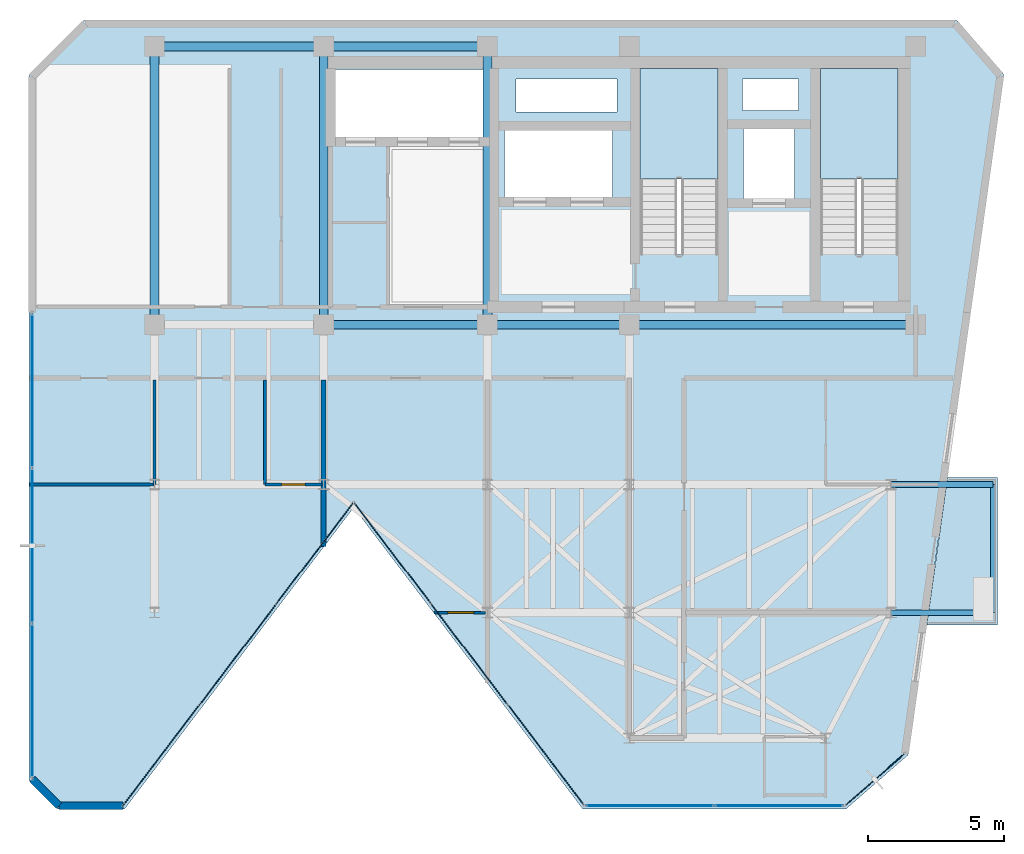
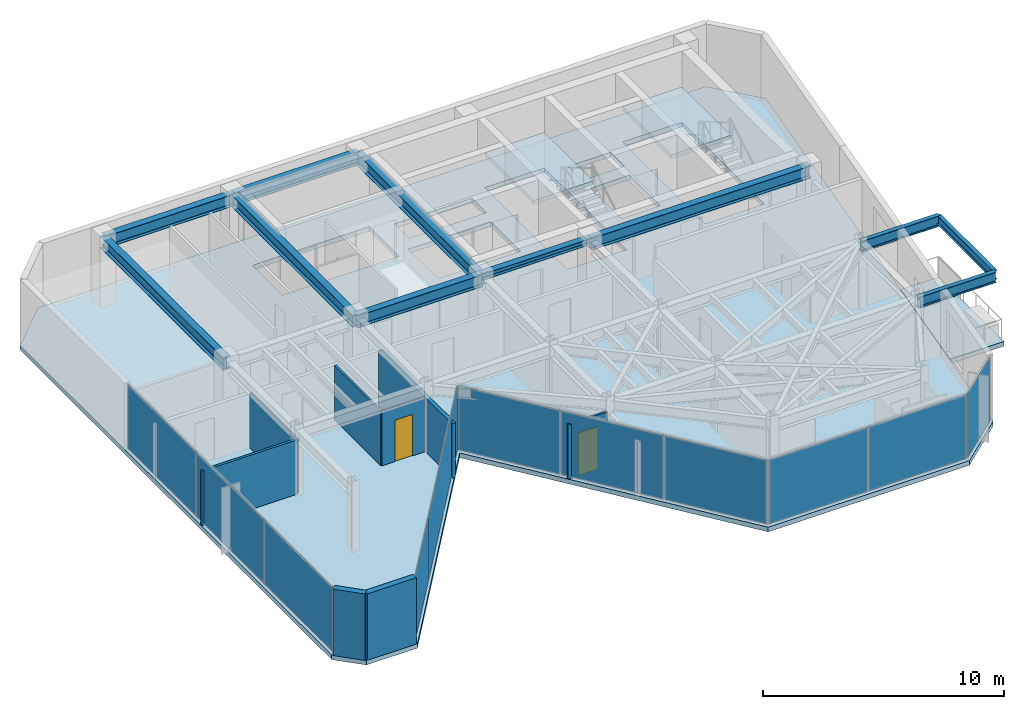
# One storey, part 12 of 16: 12 plates, 11 beams, 8 walls, 4 slabs, 2 doors, 2 openings, 7 elements without a shape of their own.
"""IFC4 building model written with IfcOpenShell, lengths in metres."""

from ifc_helpers import new_model, si_unit, direction, frame, frame_2d, origin, origin_2d, place, context, subcontext, project, spatial, polyline, rectangle, i_section, outline, extrude, material, layer, layer_set, material_profile, profile_set, type_object, element, fill, aggregate, save


model = new_model("IFC4")

# Units and contexts
model_context = context("Model", 3, precision=1e-05, world=origin(), true_north=direction((0.0, 1.0)))
body_context = subcontext(model_context, "Body", "Model", "MODEL_VIEW")
ifc_project = project(units=[si_unit("LENGTHUNIT", "METRE"), si_unit("AREAUNIT", "SQUARE_METRE"), si_unit("VOLUMEUNIT", "CUBIC_METRE"), si_unit("PLANEANGLEUNIT", "RADIAN"), si_unit("MASSUNIT", "GRAM", prefix="KILO")], contexts=[model_context])

# Site, building, storey
site_placement = place(None, origin())
site = spatial("IfcSite", under=ifc_project, at=site_placement, CompositionType="ELEMENT")
building_placement = place(site_placement, origin())
building = spatial("IfcBuilding", under=site, at=building_placement, Name="Kravanh Interchange Tower", CompositionType="ELEMENT")
storey_placement = place(building_placement, frame((0.0, 0.0, 303.89990234375)))
storey = spatial("IfcBuildingStorey", under=building, at=storey_placement, Name="L75", CompositionType="ELEMENT", Elevation=303.89990234375)

# Beams
ifc_material_1 = material(Name="Structural Steel S355", Category="steel")
ifc_material_profile_1 = material_profile(ifc_material_1, i_section(OverallWidth=0.323974609375, OverallDepth=0.611083984375, WebThickness=0.0126953125, FlangeThickness=0.01904296875, FilletRadius=0.02197265625, at=origin_2d()), Name="W24X104")
ifc_profile_set_1 = profile_set([ifc_material_profile_1], Name="Structural Steel S355")
beam_type_1 = type_object("IfcBeamType", Name="Floor Beam W24X104 Structural Steel S355", PredefinedType="BEAM", material=ifc_profile_set_1)
beam_1_placement = place(storey_placement, frame((66.5, 37.35009765625, 3.0595703125), z_axis=(-1.0, 0.0, 0.0), x_axis=(0.0, -1.0, 0.0)))
element("IfcBeam", 1, at=beam_1_placement, inside=storey, type_object=beam_type_1, Name="L75 Primary Floor Girder 32", PredefinedType="BEAM", context=body_context, shape_type="SweptSolid", body=[
    extrude(i_section(OverallWidth=0.323974609375, OverallDepth=0.611083984375, WebThickness=0.0126953125, FlangeThickness=0.01904296875, FilletRadius=0.02197265625, at=origin_2d()), origin(), (0.0, 0.0, 1.0), 10.5),
])
beam_2_placement = place(storey_placement, frame((50.800048828125, 47.550048828125, 3.0595703125), z_axis=(-1.0, 0.0, 0.0), x_axis=(0.0, -1.0, 0.0)))
element("IfcBeam", 2, at=beam_2_placement, inside=storey, type_object=beam_type_1, Name="L75 Primary Floor Girder 34", PredefinedType="BEAM", context=body_context, shape_type="SweptSolid", body=[
    extrude(i_section(OverallWidth=0.323974609375, OverallDepth=0.611083984375, WebThickness=0.0126953125, FlangeThickness=0.01904296875, FilletRadius=0.02197265625, at=origin_2d()), origin(), (0.0, 0.0, 1.0), 6.0),
])
beam_3_placement = place(storey_placement, frame((50.800048828125, 47.550048828125, 3.0595703125), z_axis=(0.0, -1.0, 0.0), x_axis=(1.0, 0.0, 0.0)))
element("IfcBeam", 3, at=beam_3_placement, inside=storey, type_object=beam_type_1, Name="L75 Primary Floor Girder 35", PredefinedType="BEAM", context=body_context, shape_type="SweptSolid", body=[
    extrude(i_section(OverallWidth=0.323974609375, OverallDepth=0.611083984375, WebThickness=0.0126953125, FlangeThickness=0.01904296875, FilletRadius=0.02197265625, at=origin_2d()), origin(), (0.0, 0.0, 1.0), 10.199951171875),
])
beam_4_placement = place(storey_placement, frame((50.800048828125, 37.35009765625, 3.0595703125), z_axis=(-1.0, 0.0, 0.0), x_axis=(0.0, -1.0, 0.0)))
element("IfcBeam", 4, at=beam_4_placement, inside=storey, type_object=beam_type_1, Name="L75 Primary Floor Girder 36", PredefinedType="BEAM", context=body_context, shape_type="SweptSolid", body=[
    extrude(i_section(OverallWidth=0.323974609375, OverallDepth=0.611083984375, WebThickness=0.0126953125, FlangeThickness=0.01904296875, FilletRadius=0.02197265625, at=origin_2d()), origin(), (0.0, 0.0, 1.0), 6.0),
])
beam_5_placement = place(storey_placement, frame((44.800048828125, 37.35009765625, 3.0595703125), z_axis=(0.0, 1.0, 0.0), x_axis=(-1.0, 0.0, 0.0)))
element("IfcBeam", 5, at=beam_5_placement, inside=storey, type_object=beam_type_1, Name="L75 Primary Floor Girder 38", PredefinedType="BEAM", context=body_context, shape_type="SweptSolid", body=[
    extrude(i_section(OverallWidth=0.323974609375, OverallDepth=0.611083984375, WebThickness=0.0126953125, FlangeThickness=0.01904296875, FilletRadius=0.02197265625, at=origin_2d()), origin(), (0.0, 0.0, 1.0), 10.199951171875),
])
beam_6_placement = place(storey_placement, frame((44.800048828125, 47.550048828125, 3.0595703125), z_axis=(-1.0, 0.0, 0.0), x_axis=(0.0, -1.0, 0.0)))
element("IfcBeam", 6, at=beam_6_placement, inside=storey, type_object=beam_type_1, Name="L75 Primary Floor Girder 39", PredefinedType="BEAM", context=body_context, shape_type="SweptSolid", body=[
    extrude(i_section(OverallWidth=0.323974609375, OverallDepth=0.611083984375, WebThickness=0.0126953125, FlangeThickness=0.01904296875, FilletRadius=0.02197265625, at=origin_2d()), origin(), (0.0, 0.0, 1.0), 6.199951171875),
])
beam_7_placement = place(storey_placement, frame((38.60009765625, 37.35009765625, 3.0595703125), z_axis=(0.0, 1.0, 0.0), x_axis=(-1.0, 0.0, 0.0)))
element("IfcBeam", 7, at=beam_7_placement, inside=storey, type_object=beam_type_1, Name="L75 Primary Floor Girder 40", PredefinedType="BEAM", context=body_context, shape_type="SweptSolid", body=[
    extrude(i_section(OverallWidth=0.323974609375, OverallDepth=0.611083984375, WebThickness=0.0126953125, FlangeThickness=0.01904296875, FilletRadius=0.02197265625, at=origin_2d()), origin(), (0.0, 0.0, 1.0), 10.199951171875),
])
ifc_material_2 = material(Name="Structural Steel S355", Category="steel")
ifc_material_profile_2 = material_profile(ifc_material_2, i_section(OverallWidth=0.18994140625, OverallDepth=0.45703125, WebThickness=0.009033203125, FlangeThickness=0.014404296875, FilletRadius=0.01806640625, at=origin_2d()), Name="W18X50")
ifc_profile_set_2 = profile_set([ifc_material_profile_2], Name="Structural Steel S355")
beam_type_2 = type_object("IfcBeamType", Name="Floor Joist W18X50 Structural Steel S355", PredefinedType="JOIST", material=ifc_profile_set_2)
beam_8_placement = place(storey_placement, frame((69.330078125, 26.800048828125, 3.13671875), z_axis=(0.0, 1.0, 0.0), x_axis=(-1.0, 0.0, 0.0)))
element("IfcBeam", 8, at=beam_8_placement, inside=storey, type_object=beam_type_2, Name="L75 Balcony Edge Tie Beam E", PredefinedType="JOIST", context=body_context, shape_type="SweptSolid", body=[
    extrude(i_section(OverallWidth=0.18994140625, OverallDepth=0.45703125, WebThickness=0.009033203125, FlangeThickness=0.014404296875, FilletRadius=0.01806640625, at=origin_2d()), origin(), (0.0, 0.0, 1.0), 4.699951171875),
])
ifc_material_3 = material(Name="Structural Steel S355", Category="steel")
ifc_material_profile_3 = material_profile(ifc_material_3, i_section(OverallWidth=0.304931640625, OverallDepth=0.306884765625, WebThickness=0.010009765625, FlangeThickness=0.015380859375, FilletRadius=0.014892578125, at=origin_2d()), Name="W12X65")
ifc_profile_set_3 = profile_set([ifc_material_profile_3], Name="Structural Steel S355")
beam_type_3 = type_object("IfcBeamType", Name="Floor Lintel W12X65 Structural Steel S355", PredefinedType="LINTEL", material=ifc_profile_set_3)
beam_9_placement = place(storey_placement, frame((50.800048828125, 37.35009765625, 3.211669921875), z_axis=(1.0, 0.0, 0.0), x_axis=(0.0, 1.0, 0.0)))
element("IfcBeam", 9, at=beam_9_placement, inside=storey, type_object=beam_type_3, Name="L75 Core Coupling Lintel 1", PredefinedType="LINTEL", context=body_context, shape_type="SweptSolid", body=[
    extrude(i_section(OverallWidth=0.304931640625, OverallDepth=0.306884765625, WebThickness=0.010009765625, FlangeThickness=0.015380859375, FilletRadius=0.014892578125, at=origin_2d()), origin(), (0.0, 0.0, 1.0), 5.199951171875),
])
ifc_material_4 = material(Name="Structural Steel S355", Category="steel")
ifc_material_profile_4 = material_profile(ifc_material_4, i_section(OverallWidth=0.2099609375, OverallDepth=0.537109375, WebThickness=0.010986328125, FlangeThickness=0.017333984375, FilletRadius=0.02001953125, at=origin_2d()), Name="W21X68")
ifc_profile_set_4 = profile_set([ifc_material_profile_4], Name="Structural Steel S355")
beam_type_4 = type_object("IfcBeamType", Name="Floor Spandrel W21X68 Structural Steel S355", PredefinedType="SPANDREL", material=ifc_profile_set_4)
for number, where, z_axis, x_axis, name in (
    (10, (65.60009765625, 26.800048828125, 3.0966796875), (1.0, 0.0, 0.0), (0.0, 1.0, 0.0), "L75 Balcony Cantilever Outrigger E1"),
    (11, (65.60009765625, 31.5, 3.0966796875), (1.0, 0.0, 0.0), (0.0, 1.0, 0.0), "L75 Balcony Cantilever Outrigger E2"),
):
    element("IfcBeam", number, at=place(storey_placement, frame(where, z_axis=z_axis, x_axis=x_axis)), inside=storey, type_object=beam_type_4, Name=name, PredefinedType="SPANDREL", context=body_context, shape_type="SweptSolid", body=[
        extrude(i_section(OverallWidth=0.2099609375, OverallDepth=0.537109375, WebThickness=0.010986328125, FlangeThickness=0.017333984375, FilletRadius=0.02001953125, at=origin_2d()), origin(), (0.0, 0.0, 1.0), 3.72998046875),
    ])

# Curtain wall, plates
ifc_material_5 = material(Name="Anodised Bronze Aluminium", Category="aluminium")
ifc_layer_1 = layer(ifc_material_5, 0.179931640625)
ifc_layer_set_1 = layer_set([ifc_layer_1], Name="Unitised Curtain Wall System CW-HTL Luxury Hotel")
curtain_wall_type = type_object("IfcCurtainWallType", Name="Unitised Curtain Wall System CW-HTL Luxury Hotel", PredefinedType="NOTDEFINED", material=ifc_layer_set_1)
curtain_wall_1_placement = place(storey_placement, origin())
curtain_wall_1 = element("IfcCurtainWall", 12, at=curtain_wall_1_placement, inside=storey, type_object=curtain_wall_type, Name="L75 Unitised Curtain Wall CW-L75-01", PredefinedType="NOTDEFINED")
ifc_material_6 = material(Name="Low-E Laminated Architectural Glass", Category="glass")
ifc_layer_2 = layer(ifc_material_6, 0.030029296875)
ifc_layer_set_2 = layer_set([ifc_layer_2], Name="Acoustic Laminated Glazing 30mm")
plate_type = type_object("IfcPlateType", Name="Acoustic Laminated Glazing 30mm", PredefinedType="CURTAIN_PANEL", material=ifc_layer_set_2)
plate_1_placement = place(storey_placement, frame((34.1201171875, 23.564697265625, 0.06005859375), z_axis=(0.0, 0.0, 1.0), x_axis=(0.0, 1.0, 0.0)))
plate_1 = element("IfcPlate", 13, at=plate_1_placement, type_object=plate_type, Name="CW-HTL panel 1.1", PredefinedType="CURTAIN_PANEL", context=body_context, shape_type="SweptSolid", body=[
    extrude(rectangle(XDim=5.610107421875, YDim=0.030029296875, at=origin_2d()), origin(), (0.0, 0.0, 1.0), 3.2451171875),
])
plate_2_placement = place(storey_placement, frame((34.1201171875, 29.249755859375, 0.06005859375), z_axis=(0.0, 0.0, 1.0), x_axis=(0.0, 1.0, 0.0)))
plate_2 = element("IfcPlate", 14, at=plate_2_placement, type_object=plate_type, Name="CW-HTL panel 2.1", PredefinedType="CURTAIN_PANEL", context=body_context, shape_type="SweptSolid", body=[
    extrude(rectangle(XDim=5.64013671875, YDim=0.030029296875, at=origin_2d()), origin(), (0.0, 0.0, 1.0), 3.2451171875),
])
plate_3_placement = place(storey_placement, frame((34.1201171875, 34.93505859375, 0.06005859375), z_axis=(0.0, 0.0, 1.0), x_axis=(0.0, 1.0, 0.0)))
plate_3 = element("IfcPlate", 15, at=plate_3_placement, type_object=plate_type, Name="CW-HTL panel 3.1", PredefinedType="CURTAIN_PANEL", context=body_context, shape_type="SweptSolid", body=[
    extrude(rectangle(XDim=5.610107421875, YDim=0.030029296875, at=origin_2d()), origin(), (0.0, 0.0, 1.0), 3.2451171875),
])
aggregate(curtain_wall_1, [plate_1, plate_2, plate_3])

# Curtain wall, plate
curtain_wall_2_placement = place(storey_placement, origin())
curtain_wall_2 = element("IfcCurtainWall", 16, at=curtain_wall_2_placement, inside=storey, type_object=curtain_wall_type, Name="L75 Unitised Curtain Wall CW-L75-02", PredefinedType="NOTDEFINED")
plate_4_placement = place(storey_placement, frame((64.998779296875, 20.680908203125, 0.06005859375), z_axis=(0.0, 0.0, 1.0), x_axis=(-0.754717231494, -0.656050227106, 0.0)))
plate_4 = element("IfcPlate", 17, at=plate_4_placement, type_object=plate_type, Name="CW-HTL panel 1.1", PredefinedType="CURTAIN_PANEL", context=body_context, shape_type="SweptSolid", body=[
    extrude(rectangle(XDim=2.80908203125, YDim=0.030029296875, at=origin_2d()), origin(), (0.0, 0.0, 1.0), 3.2451171875),
])
aggregate(curtain_wall_2, [plate_4])

# Curtain wall, plates
curtain_wall_3_placement = place(storey_placement, origin())
curtain_wall_3 = element("IfcCurtainWall", 18, at=curtain_wall_3_placement, inside=storey, type_object=curtain_wall_type, Name="L75 Unitised Curtain Wall CW-L75-03", PredefinedType="NOTDEFINED")
plate_5_placement = place(storey_placement, frame((61.4951171875, 19.719970703125, 0.06005859375), z_axis=(0.0, 0.0, 1.0), x_axis=(-1.0, 0.0, 0.0)))
plate_5 = element("IfcPlate", 19, at=plate_5_placement, type_object=plate_type, Name="CW-HTL panel 1.1", PredefinedType="CURTAIN_PANEL", context=body_context, shape_type="SweptSolid", body=[
    extrude(rectangle(XDim=4.677001953125, YDim=0.030029296875, at=origin_2d()), origin(), (0.0, 0.0, 1.0), 3.2451171875),
])
plate_6_placement = place(storey_placement, frame((56.758056640625, 19.719970703125, 0.06005859375), z_axis=(0.0, 0.0, 1.0), x_axis=(-1.0, 0.0, 0.0)))
plate_6 = element("IfcPlate", 20, at=plate_6_placement, type_object=plate_type, Name="CW-HTL panel 2.1", PredefinedType="CURTAIN_PANEL", context=body_context, shape_type="SweptSolid", body=[
    extrude(rectangle(XDim=4.677001953125, YDim=0.030029296875, at=origin_2d()), origin(), (0.0, 0.0, 1.0), 3.2451171875),
])
aggregate(curtain_wall_3, [plate_5, plate_6])

curtain_wall_4_placement = place(storey_placement, origin())
curtain_wall_4 = element("IfcCurtainWall", 21, at=curtain_wall_4_placement, inside=storey, type_object=curtain_wall_type, Name="L75 Unitised Curtain Wall CW-L75-04", PredefinedType="NOTDEFINED")
plate_7_placement = place(storey_placement, frame((52.9404296875, 21.587158203125, 0.06005859375), z_axis=(0.0, 0.0, 1.0), x_axis=(-0.605083992962, 0.796161642797, 0.0)))
plate_7 = element("IfcPlate", 22, at=plate_7_placement, type_object=plate_type, Name="CW-HTL panel 1.1", PredefinedType="CURTAIN_PANEL", context=body_context, shape_type="SweptSolid", body=[
    extrude(rectangle(XDim=4.5703125, YDim=0.030029296875, at=origin_2d()), origin(), (0.0, 0.0, 1.0), 3.2451171875),
])
plate_8_placement = place(storey_placement, frame((50.129638671875, 25.285400390625, 0.06005859375), z_axis=(0.0, 0.0, 1.0), x_axis=(-0.605083992962, 0.796161642797, 0.0)))
plate_8 = element("IfcPlate", 23, at=plate_8_placement, type_object=plate_type, Name="CW-HTL panel 2.1", PredefinedType="CURTAIN_PANEL", context=body_context, shape_type="SweptSolid", body=[
    extrude(rectangle(XDim=4.600341796875, YDim=0.030029296875, at=origin_2d()), origin(), (0.0, 0.0, 1.0), 3.2451171875),
])
plate_9_placement = place(storey_placement, frame((47.319091796875, 28.98388671875, 0.06005859375), z_axis=(0.0, 0.0, 1.0), x_axis=(-0.605083992962, 0.796161642797, 0.0)))
plate_9 = element("IfcPlate", 24, at=plate_9_placement, type_object=plate_type, Name="CW-HTL panel 3.1", PredefinedType="CURTAIN_PANEL", context=body_context, shape_type="SweptSolid", body=[
    extrude(rectangle(XDim=4.5703125, YDim=0.030029296875, at=origin_2d()), origin(), (0.0, 0.0, 1.0), 3.2451171875),
])
aggregate(curtain_wall_4, [plate_7, plate_8, plate_9])

curtain_wall_5_placement = place(storey_placement, origin())
curtain_wall_5 = element("IfcCurtainWall", 25, at=curtain_wall_5_placement, inside=storey, type_object=curtain_wall_type, Name="L75 Unitised Curtain Wall CW-L75-05", PredefinedType="NOTDEFINED")
plate_10_placement = place(storey_placement, frame((44.48095703125, 28.98388671875, 0.06005859375), z_axis=(0.0, 0.0, 1.0), x_axis=(-0.605083992962, -0.796161642797, 0.0)))
plate_10 = element("IfcPlate", 26, at=plate_10_placement, type_object=plate_type, Name="CW-HTL panel 1.1", PredefinedType="CURTAIN_PANEL", context=body_context, shape_type="SweptSolid", body=[
    extrude(rectangle(XDim=4.5703125, YDim=0.030029296875, at=origin_2d()), origin(), (0.0, 0.0, 1.0), 3.2451171875),
])
plate_11_placement = place(storey_placement, frame((41.670166015625, 25.285400390625, 0.06005859375), z_axis=(0.0, 0.0, 1.0), x_axis=(-0.605083992962, -0.796161642797, 0.0)))
plate_11 = element("IfcPlate", 27, at=plate_11_placement, type_object=plate_type, Name="CW-HTL panel 2.1", PredefinedType="CURTAIN_PANEL", context=body_context, shape_type="SweptSolid", body=[
    extrude(rectangle(XDim=4.600341796875, YDim=0.030029296875, at=origin_2d()), origin(), (0.0, 0.0, 1.0), 3.2451171875),
])
plate_12_placement = place(storey_placement, frame((38.859375, 21.587158203125, 0.06005859375), z_axis=(0.0, 0.0, 1.0), x_axis=(-0.605083992962, -0.796161642797, 0.0)))
plate_12 = element("IfcPlate", 28, at=plate_12_placement, type_object=plate_type, Name="CW-HTL panel 3.1", PredefinedType="CURTAIN_PANEL", context=body_context, shape_type="SweptSolid", body=[
    extrude(rectangle(XDim=4.5703125, YDim=0.030029296875, at=origin_2d()), origin(), (0.0, 0.0, 1.0), 3.2451171875),
])
aggregate(curtain_wall_5, [plate_10, plate_11, plate_12])

# Slab
ifc_material_7 = material(Name="Concrete C50/60", Category="concrete")
ifc_layer_3 = layer(ifc_material_7, 0.235107421875)
ifc_layer_set_3 = layer_set([ifc_layer_3], Name="Composite Floor Slab Concrete C50/60 235mm")
slab_type_1 = type_object("IfcSlabType", Name="Composite Floor Slab Concrete C50/60 235mm", PredefinedType="FLOOR", material=ifc_layer_set_3)
slab_1_placement = place(storey_placement, frame((0.0, 0.0, -0.23486328125)))
element("IfcSlab", 29, at=slab_1_placement, inside=storey, type_object=slab_type_1, Name="L75 Structural Floor Slab", PredefinedType="FLOOR", context=body_context, shape_type="SweptSolid", body=[
    extrude(outline(polyline([(34.0, 20.64990234375), (35.050048828125, 19.60009765625), (37.5, 19.60009765625), (45.89990234375, 30.652587890625), (54.300048828125, 19.60009765625), (63.9384765625, 19.60009765625), (66.216796875, 21.58056640625), (69.7216796875, 46.51953125), (68.0, 48.5), (36.0, 48.5), (34.0, 46.5), (34.0, 20.64990234375)]), holes=[polyline([(65.85009765625, 39.925048828125), (65.85009765625, 46.75), (63.0, 46.75), (63.0, 39.925048828125), (65.85009765625, 39.925048828125)]), polyline([(59.25, 39.925048828125), (59.25, 46.75), (56.39990234375, 46.75), (56.39990234375, 39.925048828125), (59.25, 39.925048828125)]), polyline([(45.239990234375, 44.219970703125), (50.840087890625, 44.219970703125), (50.840087890625, 46.699951171875), (45.239990234375, 46.699951171875), (45.239990234375, 44.219970703125)]), polyline([(51.419921875, 42.02001953125), (55.3798828125, 42.02001953125), (55.3798828125, 44.47998046875), (51.419921875, 44.47998046875), (51.419921875, 42.02001953125)]), polyline([(60.179931640625, 41.97998046875), (62.06005859375, 41.97998046875), (62.06005859375, 44.52001953125), (60.179931640625, 44.52001953125), (60.179931640625, 41.97998046875)]), polyline([(60.14990234375, 45.199951171875), (62.199951171875, 45.199951171875), (62.199951171875, 46.35009765625), (60.14990234375, 46.35009765625), (60.14990234375, 45.199951171875)]), polyline([(51.85009765625, 45.14990234375), (55.550048828125, 45.14990234375), (55.550048828125, 46.35009765625), (51.85009765625, 46.35009765625), (51.85009765625, 45.14990234375)])]), origin(), (0.0, 0.0, 1.0), 0.23486328125),
])

# Stair, slab
ifc_material_8 = material(Name="Concrete C50/60", Category="concrete")
stair_type = type_object("IfcStairType", Name="Core Fire Exit Dogleg Stair Concrete C50/60", PredefinedType="HALF_TURN_STAIR", material=ifc_material_8)
stair_1_placement = place(storey_placement, origin())
stair_1 = element("IfcStair", 30, at=stair_1_placement, inside=storey, type_object=stair_type, Name="L75 Exit Stair ST1", PredefinedType="HALF_TURN_STAIR")
ifc_material_9 = material(Name="Concrete C50/60", Category="concrete")
ifc_layer_4 = layer(ifc_material_9, 0.199951171875)
ifc_layer_set_4 = layer_set([ifc_layer_4], Name="Concrete C50/60 Stair Half-Landing Slab 200mm")
slab_type_2 = type_object("IfcSlabType", Name="Concrete C50/60 Stair Half-Landing Slab 200mm", PredefinedType="LANDING", material=ifc_layer_set_4)
slab_2_placement = place(storey_placement, frame((0.0, 0.0, 1.60009765625)))
slab_2 = element("IfcSlab", 31, at=slab_2_placement, type_object=slab_type_2, Name="ST1 landing 1", PredefinedType="LANDING", context=body_context, shape_type="SweptSolid", body=[
    extrude(outline(polyline([(65.85009765625, 42.699951171875), (65.85009765625, 46.75), (63.0, 46.75), (63.0, 42.699951171875), (65.85009765625, 42.699951171875)])), origin(), (0.0, 0.0, 1.0), 0.199951171875),
])
aggregate(stair_1, [slab_2])

stair_2_placement = place(storey_placement, origin())
stair_2 = element("IfcStair", 32, at=stair_2_placement, inside=storey, type_object=stair_type, Name="L75 Exit Stair ST2", PredefinedType="HALF_TURN_STAIR")
slab_3_placement = place(storey_placement, frame((0.0, 0.0, 1.60009765625)))
slab_3 = element("IfcSlab", 33, at=slab_3_placement, type_object=slab_type_2, Name="ST2 landing 1", PredefinedType="LANDING", context=body_context, shape_type="SweptSolid", body=[
    extrude(outline(polyline([(59.25, 42.699951171875), (59.25, 46.75), (56.39990234375, 46.75), (56.39990234375, 42.699951171875), (59.25, 42.699951171875)])), origin(), (0.0, 0.0, 1.0), 0.199951171875),
])
aggregate(stair_2, [slab_3])

# Slab
ifc_material_10 = material(Name="Concrete C50/60", Category="concrete")
ifc_layer_5 = layer(ifc_material_10, 0.199951171875)
ifc_layer_set_5 = layer_set([ifc_layer_5], Name="Planted Tree Balcony Slab Concrete C50/60 200mm")
slab_type_3 = type_object("IfcSlabType", Name="Planted Tree Balcony Slab Concrete C50/60 200mm", PredefinedType="USERDEFINED", material=ifc_layer_set_5)
slab_4_placement = place(storey_placement, frame((0.0, 0.0, -0.23486328125)))
element("IfcSlab", 34, at=slab_4_placement, inside=storey, type_object=slab_type_3, Name="L75 East Tree Planter Balcony Slab", ObjectType="BALCONY", PredefinedType="USERDEFINED", context=body_context, shape_type="SweptSolid", body=[
    extrude(outline(polyline([(69.489990234375, 31.75), (69.489990234375, 26.35009765625), (66.902099609375, 26.35009765625), (67.6611328125, 31.75), (69.489990234375, 31.75)])), origin(), (0.0, 0.0, 1.0), 0.23486328125),
])

# Walls
ifc_material_11 = material(Name="Double Acoustic Gypsum Board and Mineral Wool")
ifc_layer_6 = layer(ifc_material_11, 0.1201171875)
ifc_layer_set_6 = layer_set([ifc_layer_6], Name="Acoustic Office Drywall Partition 120mm")
wall_type_1 = type_object("IfcWallType", Name="Acoustic Office Drywall Partition 120mm", PredefinedType="PARTITIONING", material=ifc_layer_set_6)
wall_1_placement = place(storey_placement, frame((38.60009765625, 31.5, 0.0), z_axis=(0.0, 0.0, 1.0), x_axis=(0.0, 1.0, 0.0)))
element("IfcWall", 35, at=wall_1_placement, inside=storey, type_object=wall_type_1, Name="L75 Interior Partition 15", PredefinedType="PARTITIONING", context=body_context, shape_type="SweptSolid", body=[
    extrude(rectangle(XDim=3.83203125, YDim=0.1201171875, at=frame_2d((1.916015625, 0.0))), origin(), (0.0, 0.0, 1.0), 2.754150390625),
])
wall_2_placement = place(storey_placement, frame((34.014892578125, 31.5, 0.0), z_axis=(0.0, 0.0, 1.0), x_axis=(1.0, 0.0, 0.0)))
element("IfcWall", 36, at=wall_2_placement, inside=storey, type_object=wall_type_1, Name="L75 Interior Partition 16", PredefinedType="PARTITIONING", context=body_context, shape_type="SweptSolid", body=[
    extrude(rectangle(XDim=4.585205078125, YDim=0.1201171875, at=frame_2d((2.29248046875, 0.0))), origin(), (0.0, 0.0, 1.0), 2.754150390625),
])
ifc_material_12 = material(Name="Moisture-Resistant Gypsum Board and Mineral Wool")
ifc_layer_7 = layer(ifc_material_12, 0.10009765625)
ifc_layer_set_7 = layer_set([ifc_layer_7], Name="En-Suite Moisture-Resistant Partition 100mm")
wall_type_2 = type_object("IfcWallType", Name="En-Suite Moisture-Resistant Partition 100mm", PredefinedType="PARTITIONING", material=ifc_layer_set_7)
wall_3_placement = place(storey_placement, frame((42.64990234375, 31.5, 0.0), z_axis=(0.0, 0.0, 1.0), x_axis=(0.0, 1.0, 0.0)))
element("IfcWall", 37, at=wall_3_placement, inside=storey, type_object=wall_type_2, Name="L75 Interior Partition 24", PredefinedType="PARTITIONING", context=body_context, shape_type="SweptSolid", body=[
    extrude(rectangle(XDim=3.83203125, YDim=0.10009765625, at=frame_2d((1.916015625, 0.0))), origin(), (0.0, 0.0, 1.0), 2.754150390625),
])

# Wall, opening, door
wall_4_placement = place(storey_placement, frame((42.64990234375, 31.5, 0.0), z_axis=(0.0, 0.0, 1.0), x_axis=(1.0, 0.0, 0.0)))
wall_4 = element("IfcWall", 38, at=wall_4_placement, inside=storey, type_object=wall_type_2, Name="L75 Interior Partition 25", PredefinedType="PARTITIONING", context=body_context, shape_type="SweptSolid", body=[
    extrude(rectangle(XDim=2.08203125, YDim=0.10009765625, at=frame_2d((1.041015625, 0.0))), origin(), (0.0, 0.0, 1.0), 2.754150390625),
])
opening_1_placement = place(wall_4_placement, frame((0.607421875, 0.0, 0.0)))
opening_1 = element("IfcOpeningElement", 39, at=opening_1_placement, cuts=wall_4, Name="Opening D-85", PredefinedType="OPENING", context=body_context, shape_type="SweptSolid", body=[
    extrude(rectangle(XDim=0.85009765625, YDim=2.10009765625, at=frame_2d((0.425048828125, 1.050048828125))), frame((0.0, 0.06005859375, 0.0), z_axis=(0.0, -1.0, 0.0), x_axis=(1.0, 0.0, 0.0)), (0.0, 0.0, 1.0), 0.1201171875),
])
ifc_material_13 = material(Name="Engineered Teak Veneer Timber", Category="wood")
door_type_1 = type_object("IfcDoorType", Name="En-Suite Timber Door 850x2100", OperationType="NOTDEFINED", PredefinedType="DOOR", material=ifc_material_13)
door_1_placement = place(opening_1_placement, origin())
door_1 = element("IfcDoor", 40, at=door_1_placement, inside=storey, type_object=door_type_1, Name="L75 En-suite Bathroom Door", OperationType="SINGLE_SWING_LEFT", OverallHeight=2.10009765625, OverallWidth=0.85009765625, PredefinedType="DOOR", context=body_context, shape_type="SweptSolid", body=[
    extrude(rectangle(XDim=0.85009765625, YDim=2.10009765625, at=frame_2d((0.425048828125, 1.050048828125))), frame((0.0, 0.02490234375, 0.0), z_axis=(0.0, -1.0, 0.0), x_axis=(1.0, 0.0, 0.0)), (0.0, 0.0, 1.0), 0.050048828125),
])
fill(opening_1, door_1)

wall_5_placement = place(storey_placement, frame((48.8466796875, 26.800048828125, 0.0), z_axis=(0.0, 0.0, 1.0), x_axis=(1.0, 0.0, 0.0)))
wall_5 = element("IfcWall", 41, at=wall_5_placement, inside=storey, type_object=wall_type_2, Name="L75 Interior Partition 27", PredefinedType="PARTITIONING", context=body_context, shape_type="SweptSolid", body=[
    extrude(rectangle(XDim=1.88525390625, YDim=0.10009765625, at=frame_2d((0.942626953125, 0.0))), origin(), (0.0, 0.0, 1.0), 2.754150390625),
])
opening_2_placement = place(wall_5_placement, frame((0.501708984375, 0.0, 0.0)))
opening_2 = element("IfcOpeningElement", 42, at=opening_2_placement, cuts=wall_5, Name="Opening D-95", PredefinedType="OPENING", context=body_context, shape_type="SweptSolid", body=[
    extrude(rectangle(XDim=0.949951171875, YDim=2.14990234375, at=frame_2d((0.47509765625, 1.074951171875))), frame((0.0, 0.06005859375, 0.0), z_axis=(0.0, -1.0, 0.0), x_axis=(1.0, 0.0, 0.0)), (0.0, 0.0, 1.0), 0.1201171875),
])
ifc_material_14 = material(Name="Laminate Solid-Core Timber", Category="wood")
door_type_2 = type_object("IfcDoorType", Name="Accessible Restroom Door 950x2150", OperationType="NOTDEFINED", PredefinedType="DOOR", material=ifc_material_14)
door_2_placement = place(opening_2_placement, origin())
door_2 = element("IfcDoor", 43, at=door_2_placement, inside=storey, type_object=door_type_2, Name="L75 Sunroom Alcove Inner Door", OperationType="SINGLE_SWING_RIGHT", OverallHeight=2.14990234375, OverallWidth=0.949951171875, PredefinedType="DOOR", context=body_context, shape_type="SweptSolid", body=[
    extrude(rectangle(XDim=0.949951171875, YDim=2.14990234375, at=frame_2d((0.47509765625, 1.074951171875))), frame((0.0, 0.02490234375, 0.0), z_axis=(0.0, -1.0, 0.0), x_axis=(1.0, 0.0, 0.0)), (0.0, 0.0, 1.0), 0.050048828125),
])
fill(opening_2, door_2)

# Walls
ifc_material_15 = material(Name="Insulated Precast Concrete C40/50 with Bronze Cladding", Category="concrete")
ifc_layer_8 = layer(ifc_material_15, 0.280029296875)
ifc_layer_set_8 = layer_set([ifc_layer_8], Name="Exterior Insulated Concrete C40/50 Bronze Spandrel Wall 280mm")
wall_type_3 = type_object("IfcWallType", Name="Exterior Insulated Concrete C40/50 Bronze Spandrel Wall 280mm", PredefinedType="STANDARD", material=ifc_layer_set_8)
wall_6_placement = place(storey_placement, frame((37.4404296875, 19.719970703125, 0.0), z_axis=(0.0, 0.0, 1.0), x_axis=(-1.0, 0.0, 0.0)))
element("IfcWall", 44, at=wall_6_placement, inside=storey, type_object=wall_type_3, Name="L75 Exterior Wall 7", PredefinedType="STANDARD", context=body_context, shape_type="SweptSolid", body=[
    extrude(rectangle(XDim=2.3408203125, YDim=0.280029296875, at=frame_2d((1.17041015625, 0.0))), origin(), (0.0, 0.0, 1.0), 3.364990234375),
])
wall_7_placement = place(storey_placement, frame((35.099609375, 19.719970703125, 0.0), z_axis=(0.0, 0.0, 1.0), x_axis=(-0.707018662703, 0.70719488869, 0.0)))
element("IfcWall", 45, at=wall_7_placement, inside=storey, type_object=wall_type_3, Name="L75 Exterior Wall 8", PredefinedType="STANDARD", context=body_context, shape_type="SweptSolid", body=[
    extrude(rectangle(XDim=1.385498046875, YDim=0.280029296875, at=frame_2d((0.69287109375, 0.0))), origin(), (0.0, 0.0, 1.0), 3.364990234375),
])
ifc_material_16 = material(Name="Autoclaved Aerated Concrete C30/37 Blockwork", Category="masonry")
ifc_layer_9 = layer(ifc_material_16, 0.179931640625)
ifc_layer_set_9 = layer_set([ifc_layer_9], Name="Fire-Rated Lobby and Corridor Wall Concrete C30/37 180mm")
wall_type_4 = type_object("IfcWallType", Name="Fire-Rated Lobby and Corridor Wall Concrete C30/37 180mm", PredefinedType="STANDARD", material=ifc_layer_set_9)
wall_8_placement = place(storey_placement, frame((44.800048828125, 29.22998046875, 0.0), z_axis=(0.0, 0.0, 1.0), x_axis=(0.0, 1.0, 0.0)))
element("IfcWall", 46, at=wall_8_placement, inside=storey, type_object=wall_type_4, Name="L75 Interior Partition 26", PredefinedType="STANDARD", context=body_context, shape_type="SweptSolid", body=[
    extrude(rectangle(XDim=6.10205078125, YDim=0.179931640625, at=frame_2d((3.051025390625, 0.0))), origin(), (0.0, 0.0, 1.0), 2.754150390625),
])

save(model, "model.ifc")
